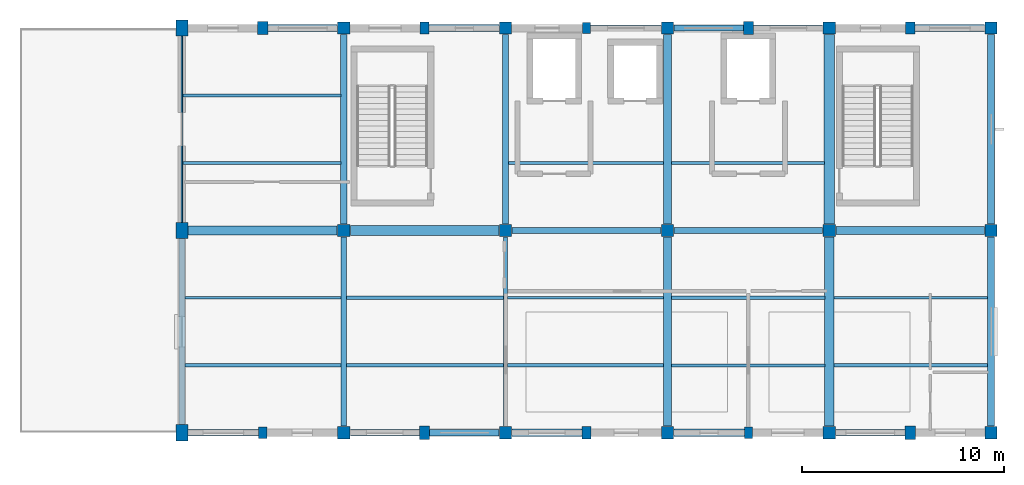
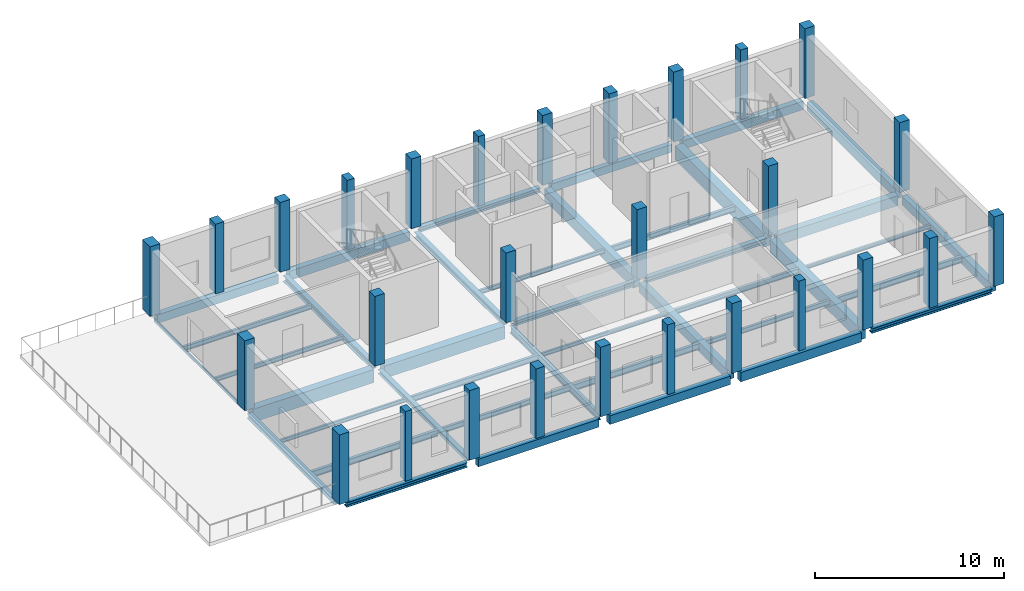
# One storey, part 1 of 6: 41 beams, 28 columns.
"""IFC4 building model written with IfcOpenShell, lengths in metres."""

from ifc_helpers import new_model, si_unit, direction, frame, origin, origin_2d, place, context, subcontext, project, spatial, rectangle, hollow_rectangle, i_section, extrude, material, material_profile, profile_set, type_object, element, save


model = new_model("IFC4")

# Units and contexts
model_context = context("Model", 3, precision=1e-05, world=origin(), true_north=direction((0.0, 1.0)))
body_context = subcontext(model_context, "Body", "Model", "MODEL_VIEW")
ifc_project = project(units=[si_unit("LENGTHUNIT", "METRE"), si_unit("AREAUNIT", "SQUARE_METRE"), si_unit("VOLUMEUNIT", "CUBIC_METRE"), si_unit("PLANEANGLEUNIT", "RADIAN"), si_unit("MASSUNIT", "GRAM", prefix="KILO")], contexts=[model_context])

# Site, building, storey
site_placement = place(None, origin())
site = spatial("IfcSite", under=ifc_project, at=site_placement, CompositionType="ELEMENT")
building_placement = place(site_placement, origin())
building = spatial("IfcBuilding", under=site, at=building_placement, Name="Luwemba Playhouse", CompositionType="ELEMENT")
storey_placement = place(building_placement, frame((0.0, 0.0, 18.300048828125)))
storey = spatial("IfcBuildingStorey", under=building, at=storey_placement, Name="L04", CompositionType="ELEMENT", Elevation=18.300048828125)

# Columns
ifc_material_1 = material(Name="Concrete C40/50", Category="concrete")
ifc_material_profile_1 = material_profile(ifc_material_1, rectangle(XDim=0.60009765625, YDim=0.60009765625, at=origin_2d()))
ifc_profile_set_1 = profile_set([ifc_material_profile_1], Name="Concrete C40/50")
column_type_1 = type_object("IfcColumnType", Name="COL-C04", PredefinedType="COLUMN", material=ifc_profile_set_1)
for number, where, z_axis, x_axis, name in (
    (1, (140.0, 95.0, 0.0), (0.0, 0.0, 1.0), (1.0, 0.0, 0.0), "L04 column 207"),
    (2, (140.0, 105.0, 0.0), (0.0, 0.0, 1.0), (1.0, 0.0, 0.0), "L04 column 208"),
    (3, (140.0, 115.0, 0.0), (0.0, 0.0, 1.0), (1.0, 0.0, 0.0), "L04 column 209"),
    (4, (148.0, 95.0, 0.0), (0.0, 0.0, 1.0), (1.0, 0.0, 0.0), "L04 column 230"),
    (5, (148.0, 105.0, 0.0), (0.0, 0.0, 1.0), (1.0, 0.0, 0.0), "L04 column 231"),
    (6, (148.0, 115.0, 0.0), (0.0, 0.0, 1.0), (1.0, 0.0, 0.0), "L04 column 232"),
    (7, (156.0, 95.0, 0.0), (0.0, 0.0, 1.0), (1.0, 0.0, 0.0), "L04 column 253"),
    (8, (156.0, 105.0, 0.0), (0.0, 0.0, 1.0), (1.0, 0.0, 0.0), "L04 column 254"),
    (9, (156.0, 115.0, 0.0), (0.0, 0.0, 1.0), (1.0, 0.0, 0.0), "L04 column 255"),
    (10, (164.0, 95.0, 0.0), (0.0, 0.0, 1.0), (1.0, 0.0, 0.0), "L04 column 276"),
    (11, (164.0, 105.0, 0.0), (0.0, 0.0, 1.0), (1.0, 0.0, 0.0), "L04 column 277"),
    (12, (164.0, 115.0, 0.0), (0.0, 0.0, 1.0), (1.0, 0.0, 0.0), "L04 column 278"),
    (13, (172.0, 95.0, 0.0), (0.0, 0.0, 1.0), (1.0, 0.0, 0.0), "L04 column 299"),
    (14, (172.0, 105.0, 0.0), (0.0, 0.0, 1.0), (1.0, 0.0, 0.0), "L04 column 300"),
    (15, (172.0, 115.0, 0.0), (0.0, 0.0, 1.0), (1.0, 0.0, 0.0), "L04 column 301"),
):
    element("IfcColumn", number, at=place(storey_placement, frame(where, z_axis=z_axis, x_axis=x_axis)), inside=storey, type_object=column_type_1, Name=name, PredefinedType="COLUMN", context=body_context, shape_type="SweptSolid", body=[
        extrude(rectangle(XDim=0.60009765625, YDim=0.60009765625, at=origin_2d()), origin(), (0.0, 0.0, 1.0), 4.5),
    ])
ifc_material_profile_2 = material_profile(ifc_material_1, rectangle(XDim=0.60009765625, YDim=0.800048828125, at=origin_2d()))
ifc_profile_set_2 = profile_set([ifc_material_profile_2], Name="Concrete C40/50")
column_type_2 = type_object("IfcColumnType", Name="COL-C12", PredefinedType="COLUMN", material=ifc_profile_set_2)
for number, where, z_axis, x_axis, name in (
    (16, (132.0, 95.0, 0.0), (0.0, 0.0, 1.0), (1.0, 0.0, 0.0), "L04 column 184"),
    (17, (132.0, 105.0, 0.0), (0.0, 0.0, 1.0), (1.0, 0.0, 0.0), "L04 column 185"),
    (18, (132.0, 115.0, 0.0), (0.0, 0.0, 1.0), (1.0, 0.0, 0.0), "L04 column 186"),
):
    element("IfcColumn", number, at=place(storey_placement, frame(where, z_axis=z_axis, x_axis=x_axis)), inside=storey, type_object=column_type_2, Name=name, PredefinedType="COLUMN", context=body_context, shape_type="SweptSolid", body=[
        extrude(rectangle(XDim=0.60009765625, YDim=0.800048828125, at=origin_2d()), origin(), (0.0, 0.0, 1.0), 4.5),
    ])
ifc_material_profile_3 = material_profile(ifc_material_1, rectangle(XDim=0.39990234375, YDim=0.550048828125, at=origin_2d()))
ifc_profile_set_3 = profile_set([ifc_material_profile_3], Name="Concrete C40/50")
column_type_3 = type_object("IfcColumnType", Name="COL-PIL1", PredefinedType="PILASTER", material=ifc_profile_set_3)
for number, where, z_axis, x_axis, name in (
    (19, (136.0, 95.0, 0.0), (0.0, 0.0, 1.0), (1.0, 0.0, 0.0), "L04 column 193"),
    (20, (152.0, 115.0, 0.0), (0.0, 0.0, 1.0), (1.0, 0.0, 0.0), "L04 column 240"),
    (21, (160.0, 95.0, 0.0), (0.0, 0.0, 1.0), (1.0, 0.0, 0.0), "L04 column 262"),
):
    element("IfcColumn", number, at=place(storey_placement, frame(where, z_axis=z_axis, x_axis=x_axis)), inside=storey, type_object=column_type_3, Name=name, PredefinedType="PILASTER", context=body_context, shape_type="SweptSolid", body=[
        extrude(rectangle(XDim=0.39990234375, YDim=0.550048828125, at=origin_2d()), origin(), (0.0, 0.0, 1.0), 4.5),
    ])
ifc_material_profile_4 = material_profile(ifc_material_1, rectangle(XDim=0.449951171875, YDim=0.60009765625, at=origin_2d()))
ifc_profile_set_4 = profile_set([ifc_material_profile_4], Name="Concrete C40/50")
column_type_4 = type_object("IfcColumnType", Name="COL-PIL2", PredefinedType="PILASTER", material=ifc_profile_set_4)
for number, where, z_axis, x_axis, name in (
    (22, (144.0, 115.0, 0.0), (0.0, 0.0, 1.0), (1.0, 0.0, 0.0), "L04 column 217"),
    (23, (152.0, 95.0, 0.0), (0.0, 0.0, 1.0), (1.0, 0.0, 0.0), "L04 column 239"),
    (24, (168.0, 115.0, 0.0), (0.0, 0.0, 1.0), (1.0, 0.0, 0.0), "L04 column 286"),
):
    element("IfcColumn", number, at=place(storey_placement, frame(where, z_axis=z_axis, x_axis=x_axis)), inside=storey, type_object=column_type_4, Name=name, PredefinedType="PILASTER", context=body_context, shape_type="SweptSolid", body=[
        extrude(rectangle(XDim=0.449951171875, YDim=0.60009765625, at=origin_2d()), origin(), (0.0, 0.0, 1.0), 4.5),
    ])
ifc_material_profile_5 = material_profile(ifc_material_1, rectangle(XDim=0.5, YDim=0.64990234375, at=origin_2d()))
ifc_profile_set_5 = profile_set([ifc_material_profile_5], Name="Concrete C40/50")
column_type_5 = type_object("IfcColumnType", Name="COL-PIL3", PredefinedType="PILASTER", material=ifc_profile_set_5)
for number, where, z_axis, x_axis, name in (
    (25, (136.0, 115.0, 0.0), (0.0, 0.0, 1.0), (1.0, 0.0, 0.0), "L04 column 194"),
    (26, (144.0, 95.0, 0.0), (0.0, 0.0, 1.0), (1.0, 0.0, 0.0), "L04 column 216"),
    (27, (160.0, 115.0, 0.0), (0.0, 0.0, 1.0), (1.0, 0.0, 0.0), "L04 column 263"),
    (28, (168.0, 95.0, 0.0), (0.0, 0.0, 1.0), (1.0, 0.0, 0.0), "L04 column 285"),
):
    element("IfcColumn", number, at=place(storey_placement, frame(where, z_axis=z_axis, x_axis=x_axis)), inside=storey, type_object=column_type_5, Name=name, PredefinedType="PILASTER", context=body_context, shape_type="SweptSolid", body=[
        extrude(rectangle(XDim=0.5, YDim=0.64990234375, at=origin_2d()), origin(), (0.0, 0.0, 1.0), 4.5),
    ])

# Beams
ifc_material_profile_6 = material_profile(ifc_material_1, rectangle(XDim=0.39990234375, YDim=0.60009765625, at=origin_2d()))
ifc_profile_set_6 = profile_set([ifc_material_profile_6], Name="Concrete C40/50")
beam_type_1 = type_object("IfcBeamType", Name="BM-RB01", PredefinedType="BEAM", material=ifc_profile_set_6)
beam_1_placement = place(storey_placement, frame((156.0, 95.324951171875, -0.530029296875), z_axis=(0.0, 1.0, 0.0), x_axis=(-1.0, 0.0, 0.0)))
element("IfcBeam", 29, at=beam_1_placement, inside=storey, type_object=beam_type_1, Name="L04 transverse girder 0936", PredefinedType="BEAM", context=body_context, shape_type="SweptSolid", body=[
    extrude(rectangle(XDim=0.39990234375, YDim=0.60009765625, at=origin_2d()), origin(), (0.0, 0.0, 1.0), 9.35009765625),
])
ifc_material_profile_7 = material_profile(ifc_material_1, rectangle(XDim=0.39990234375, YDim=0.64990234375, at=origin_2d()))
ifc_profile_set_7 = profile_set([ifc_material_profile_7], Name="Concrete C40/50")
beam_type_2 = type_object("IfcBeamType", Name="BM-RB02", PredefinedType="BEAM", material=ifc_profile_set_7)
beam_2_placement = place(storey_placement, frame((164.324951171875, 105.0, -0.554931640625), z_axis=(1.0, 0.0, 0.0), x_axis=(0.0, 1.0, 0.0)))
element("IfcBeam", 30, at=beam_2_placement, inside=storey, type_object=beam_type_2, Name="L04 grid girder 0924", PredefinedType="BEAM", context=body_context, shape_type="SweptSolid", body=[
    extrude(rectangle(XDim=0.39990234375, YDim=0.64990234375, at=origin_2d()), origin(), (0.0, 0.0, 1.0), 7.35009765625),
])
ifc_material_profile_8 = material_profile(ifc_material_1, rectangle(XDim=0.39990234375, YDim=0.75, at=origin_2d()))
ifc_profile_set_8 = profile_set([ifc_material_profile_8], Name="Concrete C40/50")
beam_type_3 = type_object("IfcBeamType", Name="BM-RB03", PredefinedType="BEAM", material=ifc_profile_set_8)
beam_3_placement = place(storey_placement, frame((156.0, 105.324951171875, -0.60498046875), z_axis=(0.0, 1.0, 0.0), x_axis=(-1.0, 0.0, 0.0)))
element("IfcBeam", 31, at=beam_3_placement, inside=storey, type_object=beam_type_3, Name="L04 transverse girder 0937", PredefinedType="BEAM", context=body_context, shape_type="SweptSolid", body=[
    extrude(rectangle(XDim=0.39990234375, YDim=0.75, at=origin_2d()), origin(), (0.0, 0.0, 1.0), 9.35009765625),
])
ifc_material_profile_9 = material_profile(ifc_material_1, rectangle(XDim=0.449951171875, YDim=0.85009765625, at=origin_2d()))
ifc_profile_set_9 = profile_set([ifc_material_profile_9], Name="Concrete C40/50")
beam_type_4 = type_object("IfcBeamType", Name="BM-RB05", PredefinedType="BEAM", material=ifc_profile_set_9)
beam_4_placement = place(storey_placement, frame((132.300048828125, 105.0, -0.655029296875), z_axis=(1.0, 0.0, 0.0), x_axis=(0.0, 1.0, 0.0)))
element("IfcBeam", 32, at=beam_4_placement, inside=storey, type_object=beam_type_4, Name="L04 grid girder 0920", PredefinedType="BEAM", context=body_context, shape_type="SweptSolid", body=[
    extrude(rectangle(XDim=0.449951171875, YDim=0.85009765625, at=origin_2d()), origin(), (0.0, 0.0, 1.0), 7.375),
])
beam_5_placement = place(storey_placement, frame((164.0, 95.324951171875, -0.655029296875), z_axis=(0.0, 1.0, 0.0), x_axis=(-1.0, 0.0, 0.0)))
element("IfcBeam", 33, at=beam_5_placement, inside=storey, type_object=beam_type_4, Name="L04 transverse girder 0938", PredefinedType="BEAM", context=body_context, shape_type="SweptSolid", body=[
    extrude(rectangle(XDim=0.449951171875, YDim=0.85009765625, at=origin_2d()), origin(), (0.0, 0.0, 1.0), 9.35009765625),
])
ifc_material_profile_10 = material_profile(ifc_material_1, rectangle(XDim=0.5, YDim=0.800048828125, at=origin_2d()))
ifc_profile_set_10 = profile_set([ifc_material_profile_10], Name="Concrete C40/50")
beam_type_5 = type_object("IfcBeamType", Name="BM-RB06", PredefinedType="BEAM", material=ifc_profile_set_10)
beam_6_placement = place(storey_placement, frame((140.324951171875, 105.0, -0.630126953125), z_axis=(1.0, 0.0, 0.0), x_axis=(0.0, 1.0, 0.0)))
element("IfcBeam", 34, at=beam_6_placement, inside=storey, type_object=beam_type_5, Name="L04 grid girder 0921", PredefinedType="BEAM", context=body_context, shape_type="SweptSolid", body=[
    extrude(rectangle(XDim=0.5, YDim=0.800048828125, at=origin_2d()), origin(), (0.0, 0.0, 1.0), 7.35009765625),
])
ifc_material_profile_11 = material_profile(ifc_material_1, rectangle(XDim=0.5, YDim=0.89990234375, at=origin_2d()))
ifc_profile_set_11 = profile_set([ifc_material_profile_11], Name="Concrete C40/50")
beam_type_6 = type_object("IfcBeamType", Name="BM-RB07", PredefinedType="BEAM", material=ifc_profile_set_11)
beam_7_placement = place(storey_placement, frame((164.0, 105.324951171875, -0.679931640625), z_axis=(0.0, 1.0, 0.0), x_axis=(-1.0, 0.0, 0.0)))
element("IfcBeam", 35, at=beam_7_placement, inside=storey, type_object=beam_type_6, Name="L04 transverse girder 0939", PredefinedType="BEAM", context=body_context, shape_type="SweptSolid", body=[
    extrude(rectangle(XDim=0.5, YDim=0.89990234375, at=origin_2d()), origin(), (0.0, 0.0, 1.0), 9.35009765625),
])
ifc_material_2 = material(Name="Steel S355", Category="steel")
ifc_material_profile_12 = material_profile(ifc_material_2, i_section(OverallWidth=0.280029296875, OverallDepth=0.27001953125, WebThickness=0.008056640625, FlangeThickness=0.012939453125, FilletRadius=0.02392578125, at=origin_2d()))
ifc_profile_set_12 = profile_set([ifc_material_profile_12], Name="Steel S355")
beam_type_7 = type_object("IfcBeamType", Name="BM-SB02", PredefinedType="BEAM", material=ifc_profile_set_12)
beam_8_placement = place(storey_placement, frame((140.0, 95.324951171875, -0.364990234375), z_axis=(0.0, 1.0, 0.0), x_axis=(-1.0, 0.0, 0.0)))
element("IfcBeam", 36, at=beam_8_placement, inside=storey, type_object=beam_type_7, Name="L04 transverse girder 0932", PredefinedType="BEAM", context=body_context, shape_type="SweptSolid", body=[
    extrude(i_section(OverallWidth=0.280029296875, OverallDepth=0.27001953125, WebThickness=0.008056640625, FlangeThickness=0.012939453125, FilletRadius=0.02392578125, at=origin_2d()), origin(), (0.0, 0.0, 1.0), 9.35009765625),
])
ifc_material_profile_13 = material_profile(ifc_material_2, i_section(OverallWidth=0.300048828125, OverallDepth=0.2900390625, WebThickness=0.008544921875, FlangeThickness=0.013916015625, FilletRadius=0.027099609375, at=origin_2d()))
ifc_profile_set_13 = profile_set([ifc_material_profile_13], Name="Steel S355")
beam_type_8 = type_object("IfcBeamType", Name="BM-SB03", PredefinedType="BEAM", material=ifc_profile_set_13)
beam_9_placement = place(storey_placement, frame((148.324951171875, 105.0, -0.375), z_axis=(1.0, 0.0, 0.0), x_axis=(0.0, 1.0, 0.0)))
element("IfcBeam", 37, at=beam_9_placement, inside=storey, type_object=beam_type_8, Name="L04 grid girder 0922", PredefinedType="BEAM", context=body_context, shape_type="SweptSolid", body=[
    extrude(i_section(OverallWidth=0.300048828125, OverallDepth=0.2900390625, WebThickness=0.008544921875, FlangeThickness=0.013916015625, FilletRadius=0.027099609375, at=origin_2d()), origin(), (0.0, 0.0, 1.0), 7.35009765625),
])
ifc_material_profile_14 = material_profile(ifc_material_2, i_section(OverallWidth=0.300048828125, OverallDepth=0.330078125, WebThickness=0.009521484375, FlangeThickness=0.0166015625, FilletRadius=0.027099609375, at=origin_2d()))
ifc_profile_set_14 = profile_set([ifc_material_profile_14], Name="Steel S355")
beam_type_9 = type_object("IfcBeamType", Name="BM-SB04", PredefinedType="BEAM", material=ifc_profile_set_14)
beam_10_placement = place(storey_placement, frame((156.324951171875, 105.0, -0.39501953125), z_axis=(1.0, 0.0, 0.0), x_axis=(0.0, 1.0, 0.0)))
element("IfcBeam", 38, at=beam_10_placement, inside=storey, type_object=beam_type_9, Name="L04 grid girder 0923", PredefinedType="BEAM", context=body_context, shape_type="SweptSolid", body=[
    extrude(i_section(OverallWidth=0.300048828125, OverallDepth=0.330078125, WebThickness=0.009521484375, FlangeThickness=0.0166015625, FilletRadius=0.027099609375, at=origin_2d()), origin(), (0.0, 0.0, 1.0), 7.35009765625),
])
ifc_material_profile_15 = material_profile(ifc_material_2, i_section(OverallWidth=0.300048828125, OverallDepth=0.389892578125, WebThickness=0.010986328125, FlangeThickness=0.01904296875, FilletRadius=0.027099609375, at=origin_2d()))
ifc_profile_set_15 = profile_set([ifc_material_profile_15], Name="Steel S355")
beam_type_10 = type_object("IfcBeamType", Name="BM-SB05", PredefinedType="BEAM", material=ifc_profile_set_15)
beam_11_placement = place(storey_placement, frame((140.0, 105.324951171875, -0.425048828125), z_axis=(0.0, 1.0, 0.0), x_axis=(-1.0, 0.0, 0.0)))
element("IfcBeam", 39, at=beam_11_placement, inside=storey, type_object=beam_type_10, Name="L04 transverse girder 0933", PredefinedType="BEAM", context=body_context, shape_type="SweptSolid", body=[
    extrude(i_section(OverallWidth=0.300048828125, OverallDepth=0.389892578125, WebThickness=0.010986328125, FlangeThickness=0.01904296875, FilletRadius=0.027099609375, at=origin_2d()), origin(), (0.0, 0.0, 1.0), 9.35009765625),
])
ifc_material_profile_16 = material_profile(ifc_material_2, i_section(OverallWidth=0.18994140625, OverallDepth=0.449951171875, WebThickness=0.009521484375, FlangeThickness=0.0146484375, FilletRadius=0.02099609375, at=origin_2d()))
ifc_profile_set_16 = profile_set([ifc_material_profile_16], Name="Steel S355")
beam_type_11 = type_object("IfcBeamType", Name="BM-SB06", PredefinedType="BEAM", material=ifc_profile_set_16)
beam_12_placement = place(storey_placement, frame((148.0, 95.324951171875, -0.455078125), z_axis=(0.0, 1.0, 0.0), x_axis=(-1.0, 0.0, 0.0)))
element("IfcBeam", 40, at=beam_12_placement, inside=storey, type_object=beam_type_11, Name="L04 transverse girder 0934", PredefinedType="BEAM", context=body_context, shape_type="SweptSolid", body=[
    extrude(i_section(OverallWidth=0.18994140625, OverallDepth=0.449951171875, WebThickness=0.009521484375, FlangeThickness=0.0146484375, FilletRadius=0.02099609375, at=origin_2d()), origin(), (0.0, 0.0, 1.0), 9.35009765625),
])
ifc_material_profile_17 = material_profile(ifc_material_2, i_section(OverallWidth=0.300048828125, OverallDepth=0.360107421875, WebThickness=0.012451171875, FlangeThickness=0.0224609375, FilletRadius=0.027099609375, at=origin_2d()))
ifc_profile_set_17 = profile_set([ifc_material_profile_17], Name="Steel S355")
beam_type_12 = type_object("IfcBeamType", Name="BM-SB09", PredefinedType="BEAM", material=ifc_profile_set_17)
beam_13_placement = place(storey_placement, frame((148.0, 105.324951171875, -0.41015625), z_axis=(0.0, 1.0, 0.0), x_axis=(-1.0, 0.0, 0.0)))
element("IfcBeam", 41, at=beam_13_placement, inside=storey, type_object=beam_type_12, Name="L04 transverse girder 0935", PredefinedType="BEAM", context=body_context, shape_type="SweptSolid", body=[
    extrude(i_section(OverallWidth=0.300048828125, OverallDepth=0.360107421875, WebThickness=0.012451171875, FlangeThickness=0.0224609375, FilletRadius=0.027099609375, at=origin_2d()), origin(), (0.0, 0.0, 1.0), 9.35009765625),
])
ifc_material_profile_18 = material_profile(ifc_material_2, i_section(OverallWidth=0.1201171875, OverallDepth=0.239990234375, WebThickness=0.006103515625, FlangeThickness=0.009765625, FilletRadius=0.014892578125, at=origin_2d()))
ifc_profile_set_18 = profile_set([ifc_material_profile_18], Name="Steel S355")
beam_type_13 = type_object("IfcBeamType", Name="BM-SJ03", PredefinedType="JOIST", material=ifc_profile_set_18)
beam_14_placement = place(storey_placement, frame((132.14599609375, 101.666748046875, -0.35009765625), z_axis=(1.0, 0.0, 0.0), x_axis=(0.0, 1.0, 0.0)))
element("IfcBeam", 42, at=beam_14_placement, inside=storey, type_object=beam_type_13, Name="L04 composite floor joist 0523", PredefinedType="JOIST", context=body_context, shape_type="SweptSolid", body=[
    extrude(i_section(OverallWidth=0.1201171875, OverallDepth=0.239990234375, WebThickness=0.006103515625, FlangeThickness=0.009765625, FilletRadius=0.014892578125, at=origin_2d()), origin(), (0.0, 0.0, 1.0), 7.718017578125),
])
beam_15_placement = place(storey_placement, frame((148.091064453125, 101.666748046875, -0.35009765625), z_axis=(1.0, 0.0, 0.0), x_axis=(0.0, 1.0, 0.0)))
element("IfcBeam", 43, at=beam_15_placement, inside=storey, type_object=beam_type_13, Name="L04 composite floor joist 0529", PredefinedType="JOIST", context=body_context, shape_type="SweptSolid", body=[
    extrude(i_section(OverallWidth=0.1201171875, OverallDepth=0.239990234375, WebThickness=0.006103515625, FlangeThickness=0.009765625, FilletRadius=0.014892578125, at=origin_2d()), origin(), (0.0, 0.0, 1.0), 7.712890625),
])
beam_16_placement = place(storey_placement, frame((164.220947265625, 101.666748046875, -0.35009765625), z_axis=(1.0, 0.0, 0.0), x_axis=(0.0, 1.0, 0.0)))
element("IfcBeam", 44, at=beam_16_placement, inside=storey, type_object=beam_type_13, Name="L04 composite floor joist 0535", PredefinedType="JOIST", context=body_context, shape_type="SweptSolid", body=[
    extrude(i_section(OverallWidth=0.1201171875, OverallDepth=0.239990234375, WebThickness=0.006103515625, FlangeThickness=0.009765625, FilletRadius=0.014892578125, at=origin_2d()), origin(), (0.0, 0.0, 1.0), 7.608154296875),
])
ifc_material_profile_19 = material_profile(ifc_material_2, i_section(OverallWidth=0.135009765625, OverallDepth=0.27001953125, WebThickness=0.006591796875, FlangeThickness=0.01025390625, FilletRadius=0.014892578125, at=origin_2d()))
ifc_profile_set_19 = profile_set([ifc_material_profile_19], Name="Steel S355")
beam_type_14 = type_object("IfcBeamType", Name="BM-SJ04", PredefinedType="JOIST", material=ifc_profile_set_19)
beam_17_placement = place(storey_placement, frame((132.0458984375, 108.333251953125, -0.364990234375), z_axis=(1.0, 0.0, 0.0), x_axis=(0.0, 1.0, 0.0)))
element("IfcBeam", 45, at=beam_17_placement, inside=storey, type_object=beam_type_14, Name="L04 composite floor joist 0524", PredefinedType="JOIST", context=body_context, shape_type="SweptSolid", body=[
    extrude(i_section(OverallWidth=0.135009765625, OverallDepth=0.27001953125, WebThickness=0.006591796875, FlangeThickness=0.01025390625, FilletRadius=0.014892578125, at=origin_2d()), origin(), (0.0, 0.0, 1.0), 7.80810546875),
])
beam_18_placement = place(storey_placement, frame((148.14599609375, 108.333251953125, -0.364990234375), z_axis=(1.0, 0.0, 0.0), x_axis=(0.0, 1.0, 0.0)))
element("IfcBeam", 46, at=beam_18_placement, inside=storey, type_object=beam_type_14, Name="L04 composite floor joist 0530", PredefinedType="JOIST", context=body_context, shape_type="SweptSolid", body=[
    extrude(i_section(OverallWidth=0.135009765625, OverallDepth=0.27001953125, WebThickness=0.006591796875, FlangeThickness=0.01025390625, FilletRadius=0.014892578125, at=origin_2d()), origin(), (0.0, 0.0, 1.0), 7.657958984375),
])
ifc_material_profile_20 = material_profile(ifc_material_2, i_section(OverallWidth=0.14990234375, OverallDepth=0.300048828125, WebThickness=0.007080078125, FlangeThickness=0.0107421875, FilletRadius=0.014892578125, at=origin_2d()))
ifc_profile_set_20 = profile_set([ifc_material_profile_20], Name="Steel S355")
beam_type_15 = type_object("IfcBeamType", Name="BM-SJ05", PredefinedType="JOIST", material=ifc_profile_set_20)
beam_19_placement = place(storey_placement, frame((132.0458984375, 111.666748046875, -0.380126953125), z_axis=(1.0, 0.0, 0.0), x_axis=(0.0, 1.0, 0.0)))
element("IfcBeam", 47, at=beam_19_placement, inside=storey, type_object=beam_type_15, Name="L04 composite floor joist 0525", PredefinedType="JOIST", context=body_context, shape_type="SweptSolid", body=[
    extrude(i_section(OverallWidth=0.14990234375, OverallDepth=0.300048828125, WebThickness=0.007080078125, FlangeThickness=0.0107421875, FilletRadius=0.014892578125, at=origin_2d()), origin(), (0.0, 0.0, 1.0), 7.80810546875),
])
beam_20_placement = place(storey_placement, frame((156.196044921875, 98.333251953125, -0.380126953125), z_axis=(1.0, 0.0, 0.0), x_axis=(0.0, 1.0, 0.0)))
element("IfcBeam", 48, at=beam_20_placement, inside=storey, type_object=beam_type_15, Name="L04 composite floor joist 0531", PredefinedType="JOIST", context=body_context, shape_type="SweptSolid", body=[
    extrude(i_section(OverallWidth=0.14990234375, OverallDepth=0.300048828125, WebThickness=0.007080078125, FlangeThickness=0.0107421875, FilletRadius=0.014892578125, at=origin_2d()), origin(), (0.0, 0.0, 1.0), 7.5830078125),
])
ifc_material_profile_21 = material_profile(ifc_material_2, i_section(OverallWidth=0.159912109375, OverallDepth=0.330078125, WebThickness=0.007568359375, FlangeThickness=0.011474609375, FilletRadius=0.01806640625, at=origin_2d()))
ifc_profile_set_21 = profile_set([ifc_material_profile_21], Name="Steel S355")
beam_type_16 = type_object("IfcBeamType", Name="BM-SJ06", PredefinedType="JOIST", material=ifc_profile_set_21)
beam_21_placement = place(storey_placement, frame((140.135986328125, 98.333251953125, -0.39501953125), z_axis=(1.0, 0.0, 0.0), x_axis=(0.0, 1.0, 0.0)))
element("IfcBeam", 49, at=beam_21_placement, inside=storey, type_object=beam_type_16, Name="L04 composite floor joist 0526", PredefinedType="JOIST", context=body_context, shape_type="SweptSolid", body=[
    extrude(i_section(OverallWidth=0.159912109375, OverallDepth=0.330078125, WebThickness=0.007568359375, FlangeThickness=0.011474609375, FilletRadius=0.01806640625, at=origin_2d()), origin(), (0.0, 0.0, 1.0), 7.77294921875),
])
beam_22_placement = place(storey_placement, frame((156.196044921875, 101.666748046875, -0.39501953125), z_axis=(1.0, 0.0, 0.0), x_axis=(0.0, 1.0, 0.0)))
element("IfcBeam", 50, at=beam_22_placement, inside=storey, type_object=beam_type_16, Name="L04 composite floor joist 0532", PredefinedType="JOIST", context=body_context, shape_type="SweptSolid", body=[
    extrude(i_section(OverallWidth=0.159912109375, OverallDepth=0.330078125, WebThickness=0.007568359375, FlangeThickness=0.011474609375, FilletRadius=0.01806640625, at=origin_2d()), origin(), (0.0, 0.0, 1.0), 7.5830078125),
])
ifc_material_profile_22 = material_profile(ifc_material_2, i_section(OverallWidth=0.169921875, OverallDepth=0.360107421875, WebThickness=0.008056640625, FlangeThickness=0.0126953125, FilletRadius=0.01806640625, at=origin_2d()))
ifc_profile_set_22 = profile_set([ifc_material_profile_22], Name="Steel S355")
beam_type_17 = type_object("IfcBeamType", Name="BM-SJ07", PredefinedType="JOIST", material=ifc_profile_set_22)
beam_23_placement = place(storey_placement, frame((140.135986328125, 101.666748046875, -0.41015625), z_axis=(1.0, 0.0, 0.0), x_axis=(0.0, 1.0, 0.0)))
element("IfcBeam", 51, at=beam_23_placement, inside=storey, type_object=beam_type_17, Name="L04 composite floor joist 0527", PredefinedType="JOIST", context=body_context, shape_type="SweptSolid", body=[
    extrude(i_section(OverallWidth=0.169921875, OverallDepth=0.360107421875, WebThickness=0.008056640625, FlangeThickness=0.0126953125, FilletRadius=0.01806640625, at=origin_2d()), origin(), (0.0, 0.0, 1.0), 7.77294921875),
])
beam_24_placement = place(storey_placement, frame((156.196044921875, 108.333251953125, -0.41015625), z_axis=(1.0, 0.0, 0.0), x_axis=(0.0, 1.0, 0.0)))
element("IfcBeam", 52, at=beam_24_placement, inside=storey, type_object=beam_type_17, Name="L04 composite floor joist 0533", PredefinedType="JOIST", context=body_context, shape_type="SweptSolid", body=[
    extrude(i_section(OverallWidth=0.169921875, OverallDepth=0.360107421875, WebThickness=0.008056640625, FlangeThickness=0.0126953125, FilletRadius=0.01806640625, at=origin_2d()), origin(), (0.0, 0.0, 1.0), 7.557861328125),
])
ifc_material_profile_23 = material_profile(ifc_material_2, i_section(OverallWidth=0.179931640625, OverallDepth=0.39990234375, WebThickness=0.008544921875, FlangeThickness=0.013427734375, FilletRadius=0.02099609375, at=origin_2d()))
ifc_profile_set_23 = profile_set([ifc_material_profile_23], Name="Steel S355")
beam_type_18 = type_object("IfcBeamType", Name="BM-SJ08", PredefinedType="JOIST", material=ifc_profile_set_23)
beam_25_placement = place(storey_placement, frame((132.14599609375, 98.333251953125, -0.429931640625), z_axis=(1.0, 0.0, 0.0), x_axis=(0.0, 1.0, 0.0)))
element("IfcBeam", 53, at=beam_25_placement, inside=storey, type_object=beam_type_18, Name="L04 composite floor joist 0522", PredefinedType="JOIST", context=body_context, shape_type="SweptSolid", body=[
    extrude(i_section(OverallWidth=0.179931640625, OverallDepth=0.39990234375, WebThickness=0.008544921875, FlangeThickness=0.013427734375, FilletRadius=0.02099609375, at=origin_2d()), origin(), (0.0, 0.0, 1.0), 7.718017578125),
])
beam_26_placement = place(storey_placement, frame((148.091064453125, 98.333251953125, -0.429931640625), z_axis=(1.0, 0.0, 0.0), x_axis=(0.0, 1.0, 0.0)))
element("IfcBeam", 54, at=beam_26_placement, inside=storey, type_object=beam_type_18, Name="L04 composite floor joist 0528", PredefinedType="JOIST", context=body_context, shape_type="SweptSolid", body=[
    extrude(i_section(OverallWidth=0.179931640625, OverallDepth=0.39990234375, WebThickness=0.008544921875, FlangeThickness=0.013427734375, FilletRadius=0.02099609375, at=origin_2d()), origin(), (0.0, 0.0, 1.0), 7.712890625),
])
beam_27_placement = place(storey_placement, frame((164.220947265625, 98.333251953125, -0.429931640625), z_axis=(1.0, 0.0, 0.0), x_axis=(0.0, 1.0, 0.0)))
element("IfcBeam", 55, at=beam_27_placement, inside=storey, type_object=beam_type_18, Name="L04 composite floor joist 0534", PredefinedType="JOIST", context=body_context, shape_type="SweptSolid", body=[
    extrude(i_section(OverallWidth=0.179931640625, OverallDepth=0.39990234375, WebThickness=0.008544921875, FlangeThickness=0.013427734375, FilletRadius=0.02099609375, at=origin_2d()), origin(), (0.0, 0.0, 1.0), 7.608154296875),
])
ifc_material_profile_24 = material_profile(ifc_material_1, rectangle(XDim=0.300048828125, YDim=0.5, at=origin_2d()))
ifc_profile_set_24 = profile_set([ifc_material_profile_24], Name="Concrete C40/50")
beam_type_19 = type_object("IfcBeamType", Name="BM-SP1", PredefinedType="SPANDREL", material=ifc_profile_set_24)
for number, where, z_axis, x_axis, name in (
    (56, (140.324951171875, 95.0, -0.47998046875), (1.0, 0.0, 0.0), (0.0, 1.0, 0.0), "L04 grid girder 0916"),
    (57, (156.324951171875, 115.0, -0.47998046875), (1.0, 0.0, 0.0), (0.0, 1.0, 0.0), "L04 grid girder 0928"),
):
    element("IfcBeam", number, at=place(storey_placement, frame(where, z_axis=z_axis, x_axis=x_axis)), inside=storey, type_object=beam_type_19, Name=name, PredefinedType="SPANDREL", context=body_context, shape_type="SweptSolid", body=[
        extrude(rectangle(XDim=0.300048828125, YDim=0.5, at=origin_2d()), origin(), (0.0, 0.0, 1.0), 7.35009765625),
    ])
ifc_material_profile_25 = material_profile(ifc_material_1, rectangle(XDim=0.35009765625, YDim=0.550048828125, at=origin_2d()))
ifc_profile_set_25 = profile_set([ifc_material_profile_25], Name="Concrete C40/50")
beam_type_20 = type_object("IfcBeamType", Name="BM-SP2", PredefinedType="SPANDREL", material=ifc_profile_set_25)
beam_28_placement = place(storey_placement, frame((148.324951171875, 95.0, -0.505126953125), z_axis=(1.0, 0.0, 0.0), x_axis=(0.0, 1.0, 0.0)))
element("IfcBeam", 58, at=beam_28_placement, inside=storey, type_object=beam_type_20, Name="L04 grid girder 0917", PredefinedType="SPANDREL", context=body_context, shape_type="SweptSolid", body=[
    extrude(rectangle(XDim=0.35009765625, YDim=0.550048828125, at=origin_2d()), origin(), (0.0, 0.0, 1.0), 7.35009765625),
])
beam_29_placement = place(storey_placement, frame((132.300048828125, 115.0, -0.505126953125), z_axis=(1.0, 0.0, 0.0), x_axis=(0.0, 1.0, 0.0)))
element("IfcBeam", 59, at=beam_29_placement, inside=storey, type_object=beam_type_20, Name="L04 grid girder 0925", PredefinedType="SPANDREL", context=body_context, shape_type="SweptSolid", body=[
    extrude(rectangle(XDim=0.35009765625, YDim=0.550048828125, at=origin_2d()), origin(), (0.0, 0.0, 1.0), 7.375),
])
beam_30_placement = place(storey_placement, frame((164.324951171875, 115.0, -0.505126953125), z_axis=(1.0, 0.0, 0.0), x_axis=(0.0, 1.0, 0.0)))
element("IfcBeam", 60, at=beam_30_placement, inside=storey, type_object=beam_type_20, Name="L04 grid girder 0929", PredefinedType="SPANDREL", context=body_context, shape_type="SweptSolid", body=[
    extrude(rectangle(XDim=0.35009765625, YDim=0.550048828125, at=origin_2d()), origin(), (0.0, 0.0, 1.0), 7.35009765625),
])
beam_31_placement = place(storey_placement, frame((172.0, 95.324951171875, -0.505126953125), z_axis=(0.0, 1.0, 0.0), x_axis=(-1.0, 0.0, 0.0)))
element("IfcBeam", 61, at=beam_31_placement, inside=storey, type_object=beam_type_20, Name="L04 transverse girder 0940", PredefinedType="SPANDREL", context=body_context, shape_type="SweptSolid", body=[
    extrude(rectangle(XDim=0.35009765625, YDim=0.550048828125, at=origin_2d()), origin(), (0.0, 0.0, 1.0), 9.35009765625),
])
ifc_material_profile_26 = material_profile(ifc_material_1, rectangle(XDim=0.35009765625, YDim=0.60009765625, at=origin_2d()))
ifc_profile_set_26 = profile_set([ifc_material_profile_26], Name="Concrete C40/50")
beam_type_21 = type_object("IfcBeamType", Name="BM-SP3", PredefinedType="SPANDREL", material=ifc_profile_set_26)
for number, where, z_axis, x_axis, name in (
    (62, (156.324951171875, 95.0, -0.530029296875), (1.0, 0.0, 0.0), (0.0, 1.0, 0.0), "L04 grid girder 0918"),
    (63, (140.324951171875, 115.0, -0.530029296875), (1.0, 0.0, 0.0), (0.0, 1.0, 0.0), "L04 grid girder 0926"),
):
    element("IfcBeam", number, at=place(storey_placement, frame(where, z_axis=z_axis, x_axis=x_axis)), inside=storey, type_object=beam_type_21, Name=name, PredefinedType="SPANDREL", context=body_context, shape_type="SweptSolid", body=[
        extrude(rectangle(XDim=0.35009765625, YDim=0.60009765625, at=origin_2d()), origin(), (0.0, 0.0, 1.0), 7.35009765625),
    ])
beam_32_placement = place(storey_placement, frame((172.0, 105.324951171875, -0.530029296875), z_axis=(0.0, 1.0, 0.0), x_axis=(-1.0, 0.0, 0.0)))
element("IfcBeam", 64, at=beam_32_placement, inside=storey, type_object=beam_type_21, Name="L04 transverse girder 0941", PredefinedType="SPANDREL", context=body_context, shape_type="SweptSolid", body=[
    extrude(rectangle(XDim=0.35009765625, YDim=0.60009765625, at=origin_2d()), origin(), (0.0, 0.0, 1.0), 9.35009765625),
])
ifc_material_profile_27 = material_profile(ifc_material_2, i_section(OverallWidth=0.300048828125, OverallDepth=0.300048828125, WebThickness=0.010986328125, FlangeThickness=0.01904296875, FilletRadius=0.027099609375, at=origin_2d()))
ifc_profile_set_27 = profile_set([ifc_material_profile_27], Name="Steel S355")
beam_type_22 = type_object("IfcBeamType", Name="BM-SSP1", PredefinedType="SPANDREL", material=ifc_profile_set_27)
beam_33_placement = place(storey_placement, frame((132.300048828125, 95.0, -0.380126953125), z_axis=(1.0, 0.0, 0.0), x_axis=(0.0, 1.0, 0.0)))
element("IfcBeam", 65, at=beam_33_placement, inside=storey, type_object=beam_type_22, Name="L04 grid girder 0915", PredefinedType="SPANDREL", context=body_context, shape_type="SweptSolid", body=[
    extrude(i_section(OverallWidth=0.300048828125, OverallDepth=0.300048828125, WebThickness=0.010986328125, FlangeThickness=0.01904296875, FilletRadius=0.027099609375, at=origin_2d()), origin(), (0.0, 0.0, 1.0), 7.375),
])
for number, where, z_axis, x_axis, name in (
    (66, (164.324951171875, 95.0, -0.380126953125), (1.0, 0.0, 0.0), (0.0, 1.0, 0.0), "L04 grid girder 0919"),
    (67, (148.324951171875, 115.0, -0.380126953125), (1.0, 0.0, 0.0), (0.0, 1.0, 0.0), "L04 grid girder 0927"),
):
    element("IfcBeam", number, at=place(storey_placement, frame(where, z_axis=z_axis, x_axis=x_axis)), inside=storey, type_object=beam_type_22, Name=name, PredefinedType="SPANDREL", context=body_context, shape_type="SweptSolid", body=[
        extrude(i_section(OverallWidth=0.300048828125, OverallDepth=0.300048828125, WebThickness=0.010986328125, FlangeThickness=0.01904296875, FilletRadius=0.027099609375, at=origin_2d()), origin(), (0.0, 0.0, 1.0), 7.35009765625),
    ])
beam_34_placement = place(storey_placement, frame((132.0, 95.39990234375, -0.380126953125), z_axis=(0.0, 1.0, 0.0), x_axis=(-1.0, 0.0, 0.0)))
element("IfcBeam", 68, at=beam_34_placement, inside=storey, type_object=beam_type_22, Name="L04 transverse girder 0930", PredefinedType="SPANDREL", context=body_context, shape_type="SweptSolid", body=[
    extrude(i_section(OverallWidth=0.300048828125, OverallDepth=0.300048828125, WebThickness=0.010986328125, FlangeThickness=0.01904296875, FilletRadius=0.027099609375, at=origin_2d()), origin(), (0.0, 0.0, 1.0), 9.2001953125),
])
ifc_material_profile_28 = material_profile(ifc_material_2, hollow_rectangle(XDim=0.10009765625, YDim=0.199951171875, WallThickness=0.008056640625, InnerFilletRadius=0.011962890625, OuterFilletRadius=0.02001953125, at=origin_2d()))
ifc_profile_set_28 = profile_set([ifc_material_profile_28], Name="Steel S355")
beam_type_23 = type_object("IfcBeamType", Name="BM-SSP2", PredefinedType="SPANDREL", material=ifc_profile_set_28)
beam_35_placement = place(storey_placement, frame((132.0, 105.39990234375, -0.330078125), z_axis=(0.0, 1.0, 0.0), x_axis=(-1.0, 0.0, 0.0)))
element("IfcBeam", 69, at=beam_35_placement, inside=storey, type_object=beam_type_23, Name="L04 transverse girder 0931", PredefinedType="SPANDREL", context=body_context, shape_type="SweptSolid", body=[
    extrude(hollow_rectangle(XDim=0.10009765625, YDim=0.199951171875, WallThickness=0.008056640625, InnerFilletRadius=0.011962890625, OuterFilletRadius=0.02001953125, at=origin_2d()), origin(), (0.0, 0.0, 1.0), 9.2001953125),
])

save(model, "model.ifc")
